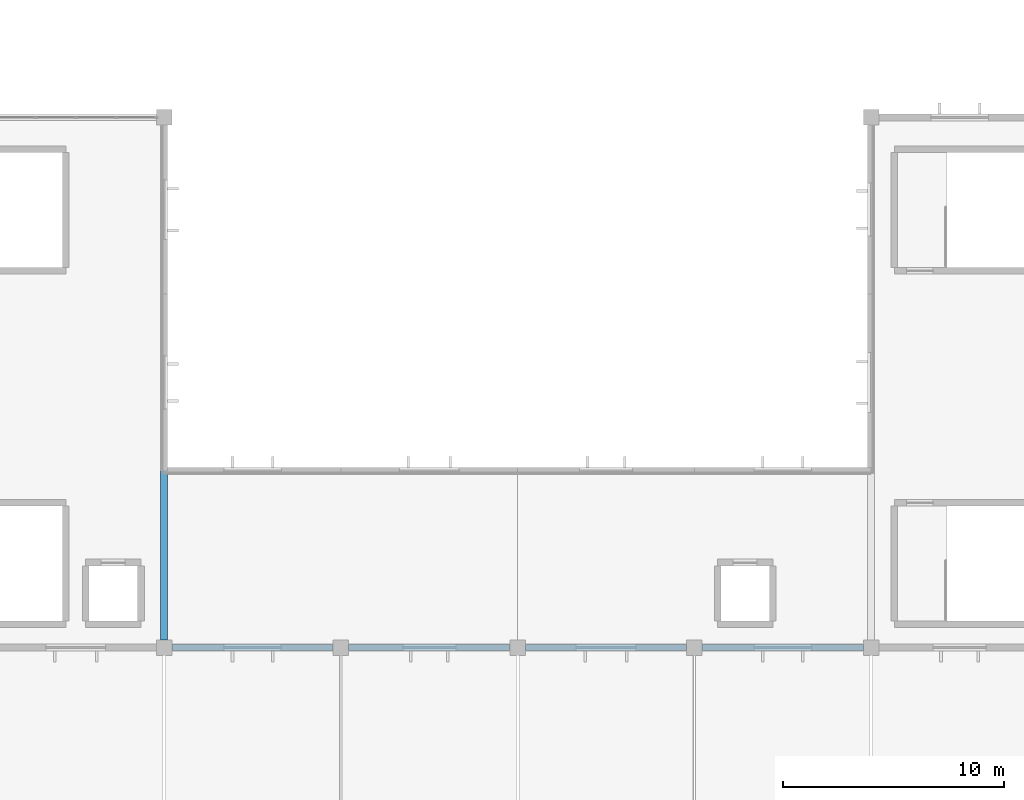
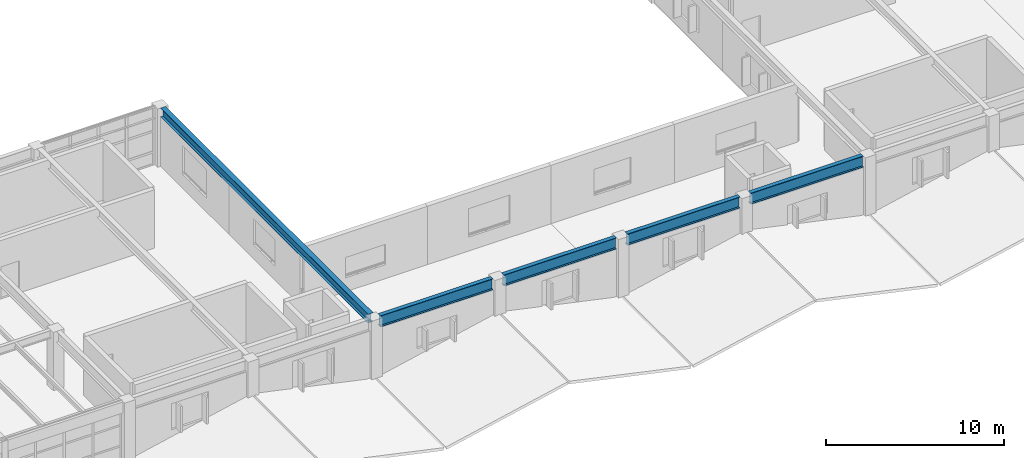
# One storey, part 19 of 48: 5 beams.
"""IFC4 building model written with IfcOpenShell, lengths in metres."""

from ifc_helpers import new_model, si_unit, direction, frame, origin, origin_2d, place, context, subcontext, project, spatial, i_section, extrude, material, material_profile, profile_set, type_object, element, save


model = new_model("IFC4")

# Units and contexts
model_context = context("Model", 3, precision=1e-05, world=origin(), true_north=direction((0.0, 1.0)))
body_context = subcontext(model_context, "Body", "Model", "MODEL_VIEW")
ifc_project = project(units=[si_unit("LENGTHUNIT", "METRE"), si_unit("AREAUNIT", "SQUARE_METRE"), si_unit("VOLUMEUNIT", "CUBIC_METRE"), si_unit("PLANEANGLEUNIT", "RADIAN"), si_unit("MASSUNIT", "GRAM", prefix="KILO")], contexts=[model_context])

# Site, building, storey
site_placement = place(None, origin())
site = spatial("IfcSite", under=ifc_project, at=site_placement, CompositionType="ELEMENT")
building_placement = place(site_placement, origin())
building = spatial("IfcBuilding", under=site, at=building_placement, Name="Varnela Railside Interchange", CompositionType="ELEMENT")
storey_placement = place(building_placement, frame((0.0, 0.0, 11.199951171875)))
storey = spatial("IfcBuildingStorey", under=building, at=storey_placement, Name="L02", CompositionType="ELEMENT", Elevation=11.199951171875)

# Beams
ifc_material = material(Name="Steel AR 350 (350 MPa)", Category="steel")
ifc_material_profile_1 = material_profile(ifc_material, i_section(OverallWidth=0.323974609375, OverallDepth=0.611083984375, WebThickness=0.0126953125, FlangeThickness=0.01904296875, at=origin_2d()), Name="W610x155")
ifc_profile_set_1 = profile_set([ifc_material_profile_1], Name="Steel AR 350 (350 MPa)")
beam_type_1 = type_object("IfcBeamType", Name="Auditorium Roof Girder B-14", PredefinedType="BEAM", material=ifc_profile_set_1)
beam_placement = place(storey_placement, frame((68.0, 38.35009765625, 3.694580078125), z_axis=(0.0, 1.0, 0.0), x_axis=(-1.0, 0.0, 0.0)))
element("IfcBeam", 1, at=beam_placement, inside=storey, type_object=beam_type_1, Name="Auditorium Roof Girder B-14 (L02) (BM-2097)", PredefinedType="BEAM", context=body_context, shape_type="SweptSolid", body=[
    extrude(i_section(OverallWidth=0.323974609375, OverallDepth=0.611083984375, WebThickness=0.0126953125, FlangeThickness=0.01904296875, at=origin_2d()), origin(), (0.0, 0.0, 1.0), 23.2998046875),
])
ifc_material_profile_2 = material_profile(ifc_material, i_section(OverallWidth=0.26806640625, OverallDepth=0.77001953125, WebThickness=0.015625, FlangeThickness=0.025390625, at=origin_2d()), Name="W760x196")
ifc_profile_set_2 = profile_set([ifc_material_profile_2], Name="Steel AR 350 (350 MPa)")
beam_type_2 = type_object("IfcBeamType", Name="Concourse Compression Ring Beam RB-01", PredefinedType="BEAM", material=ifc_profile_set_2)
for number, where, z_axis, x_axis, name in (
    (2, (68.35009765625, 38.0, 3.614990234375), (1.0, 0.0, 0.0), (0.0, 1.0, 0.0), "Concourse Compression Ring Beam RB-01 (L02) (BM-1948)"),
    (3, (76.35009765625, 38.0, 3.614990234375), (1.0, 0.0, 0.0), (0.0, 1.0, 0.0), "Concourse Compression Ring Beam RB-01 (L02) (BM-1949)"),
    (4, (84.35009765625, 38.0, 3.614990234375), (1.0, 0.0, 0.0), (0.0, 1.0, 0.0), "Concourse Compression Ring Beam RB-01 (L02) (BM-1950)"),
    (5, (92.35009765625, 38.0, 3.614990234375), (1.0, 0.0, 0.0), (0.0, 1.0, 0.0), "Concourse Compression Ring Beam RB-01 (L02) (BM-1951)"),
):
    element("IfcBeam", number, at=place(storey_placement, frame(where, z_axis=z_axis, x_axis=x_axis)), inside=storey, type_object=beam_type_2, Name=name, PredefinedType="BEAM", context=body_context, shape_type="SweptSolid", body=[
        extrude(i_section(OverallWidth=0.26806640625, OverallDepth=0.77001953125, WebThickness=0.015625, FlangeThickness=0.025390625, at=origin_2d()), origin(), (0.0, 0.0, 1.0), 7.2998046875),
    ])

save(model, "model.ifc")
